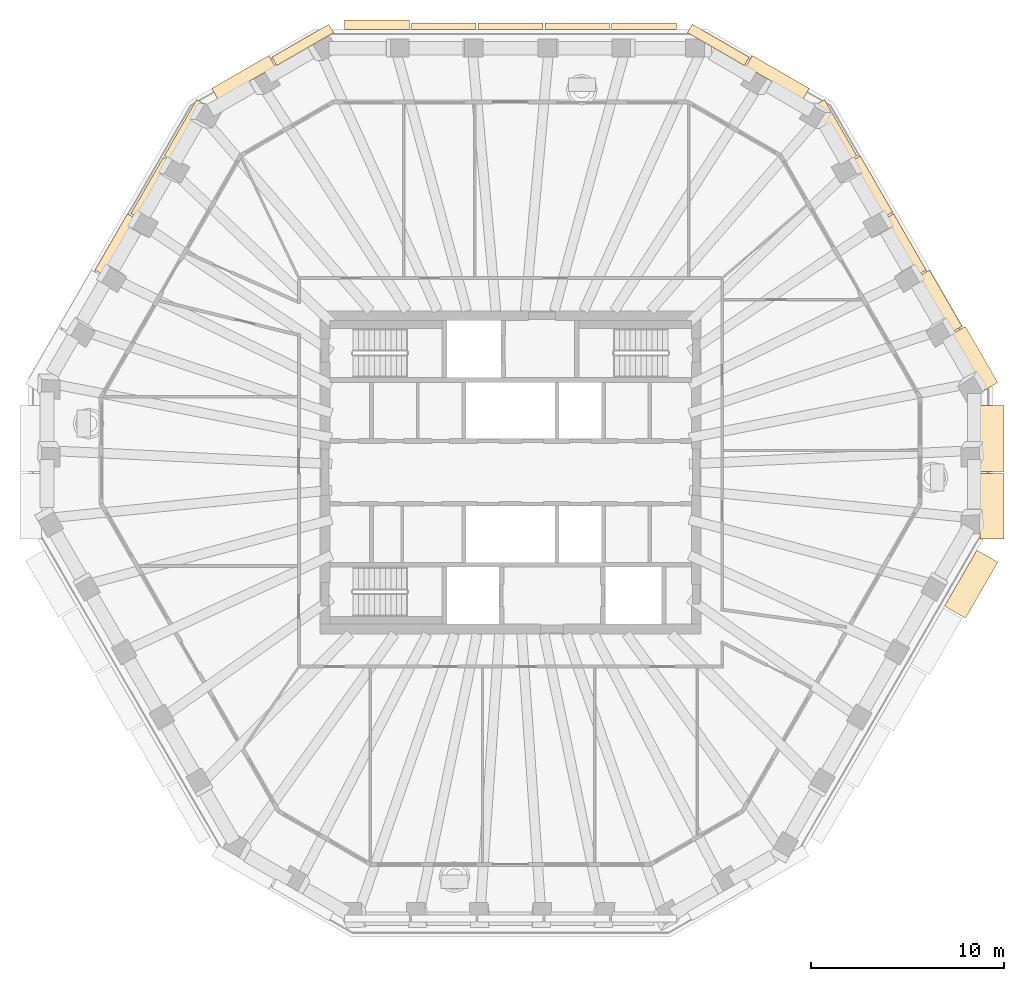
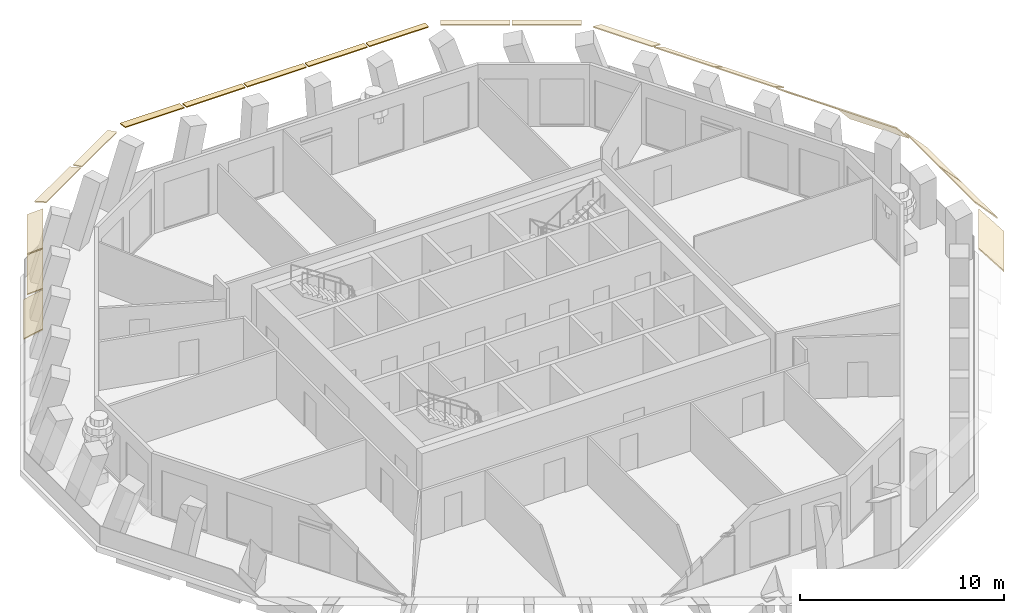
# One storey, part 9 of 11: 20 coverings.
"""IFC4 building model written with IfcOpenShell, lengths in metres."""

import ifcopenshell
import ifcopenshell.guid

model = None  # the IFC model being written
_history = None  # IfcOwnerHistory: only IFC2X3 demands one
_inside = {}  # id of a spatial element -> (the spatial element, [elements in it])
_under = {}  # id of a project, library or spatial element -> (it, [spatial elements below it])
_declared = {}  # id of a project -> (the project, [libraries it declares])
_typed = {}  # id of a type object -> (the type object, [elements of that type])
_made_of = {}  # id of a material, layer set ... -> (it, [elements and type objects made of it])


def new_model(schema):
    """Start an empty IFC model of exactly this schema.

    Asked for "IFC4X3", IfcOpenShell would pick the latest addendum, in which some entities
    have other attributes; the version numbers below select the first issue.
    IFC2X3 requires an IfcOwnerHistory on every rooted entity: one is made here for all.
    """
    global model, _history
    if schema == "IFC4X3":
        model = ifcopenshell.file(schema_version=(4, 3, 0, 0))
    else:
        model = ifcopenshell.file(schema=schema)
    _inside.clear()
    _under.clear()
    _declared.clear()
    _typed.clear()
    _made_of.clear()
    _history = None
    if model.schema == "IFC2X3":
        org = make("IfcOrganization", Name="unknown")
        user = make(
            "IfcPersonAndOrganization",
            ThePerson=make("IfcPerson", FamilyName="unknown"),
            TheOrganization=org,
        )
        app = make(
            "IfcApplication",
            ApplicationDeveloper=org,
            Version="unknown",
            ApplicationFullName="unknown",
            ApplicationIdentifier="unknown",
        )
        _history = make(
            "IfcOwnerHistory",
            OwningUser=user,
            OwningApplication=app,
            ChangeAction="ADDED",
            CreationDate=0,
        )
    return model


def make(cls, **values):
    """One entity of the class cls with the attributes given. An attribute that is None is left unset."""
    return model.create_entity(
        cls, **{name: value for name, value in values.items() if value is not None}
    )


def rooted(cls, **values):
    """An entity with a GlobalId (a new one), such as an element, a storey or a relation."""
    return make(cls, GlobalId=ifcopenshell.guid.new(), OwnerHistory=_history, **values)


def si_unit(unit_type, name, prefix=None):
    """IfcSIUnit, for example si_unit("LENGTHUNIT", "METRE", prefix="MILLI")."""
    return make("IfcSIUnit", UnitType=unit_type, Prefix=prefix, Name=name)


def assignment(units):
    """IfcUnitAssignment: the units of a project."""
    return None if units is None else make("IfcUnitAssignment", Units=units)


def point(xyz):
    """IfcCartesianPoint."""
    return None if xyz is None else make("IfcCartesianPoint", Coordinates=xyz)


def direction(xyz):
    """IfcDirection."""
    return None if xyz is None else make("IfcDirection", DirectionRatios=xyz)


def frame(location, z_axis=None, x_axis=None):
    """IfcAxis2Placement3D, a coordinate frame: its origin and axes. An axis left out is left unset."""
    return make(
        "IfcAxis2Placement3D",
        Location=point(location),
        Axis=direction(z_axis),
        RefDirection=direction(x_axis),
    )


def origin():
    """The frame at (0, 0, 0) with its axes left unset."""
    return frame((0.0, 0.0, 0.0))


def place(relative_to, where):
    """IfcLocalPlacement: puts the frame where relative to a parent placement (None: the world)."""
    return make(
        "IfcLocalPlacement", PlacementRelTo=relative_to, RelativePlacement=where
    )


def context(
    kind, dimensions, precision=None, world=None, true_north=None, identifier=None
):
    """IfcGeometricRepresentationContext, for example the 3D "Model" context."""
    return make(
        "IfcGeometricRepresentationContext",
        ContextIdentifier=identifier,
        ContextType=kind,
        CoordinateSpaceDimension=dimensions,
        Precision=precision,
        WorldCoordinateSystem=world,
        TrueNorth=true_north,
    )


def subcontext(parent, identifier, kind, view, scale=None):
    """IfcGeometricRepresentationSubContext, for example "Body" below "Model"."""
    return make(
        "IfcGeometricRepresentationSubContext",
        ContextIdentifier=identifier,
        ContextType=kind,
        ParentContext=parent,
        TargetScale=scale,
        TargetView=view,
    )


def project(units=None, contexts=None):
    """IfcProject with its units and contexts."""
    return rooted(
        "IfcProject",
        Name="project",
        RepresentationContexts=contexts,
        UnitsInContext=assignment(units),
    )


def spatial(cls, under=None, at=None, **own):
    """A site, building, storey or space (cls), placed at a placement, below another one or the project."""
    s = rooted(cls, ObjectPlacement=at, **own)
    if under is not None:
        _under.setdefault(under.id(), (under, []))[1].append(s)
    return s


def polyline(points):
    """IfcPolyline through the points."""
    return make("IfcPolyline", Points=[point(p) for p in points])


def outline(outer, holes=None, kind="AREA"):
    """IfcArbitraryClosedProfileDef: a profile drawn as a closed curve; with holes, ...WithVoids."""
    if holes is None:
        return make("IfcArbitraryClosedProfileDef", ProfileType=kind, OuterCurve=outer)
    return make(
        "IfcArbitraryProfileDefWithVoids",
        ProfileType=kind,
        OuterCurve=outer,
        InnerCurves=holes,
    )


def extrude(swept, where, along, depth):
    """IfcExtrudedAreaSolid: the profile swept, set in the frame where, extruded along a direction by depth."""
    return make(
        "IfcExtrudedAreaSolid",
        SweptArea=swept,
        Position=where,
        ExtrudedDirection=direction(along),
        Depth=depth,
    )


def shape(context_of_items, identifier, shape_type, items):
    """IfcShapeRepresentation: the items that make up one representation, for example the "Body"."""
    return make(
        "IfcShapeRepresentation",
        ContextOfItems=context_of_items,
        RepresentationIdentifier=identifier,
        RepresentationType=shape_type,
        Items=items,
    )


def material(Name=None, Category=None):
    """IfcMaterial."""
    return make("IfcMaterial", Name=Name, Category=Category)


def layer(
    of_material, thickness, ventilated=None, Name=None, Category=None, Priority=None
):
    """IfcMaterialLayer: one layer of a wall or slab, of a material (None: an air gap)."""
    return make(
        "IfcMaterialLayer",
        Material=of_material,
        LayerThickness=thickness,
        IsVentilated=ventilated,
        Name=Name,
        Category=Category,
        Priority=Priority,
    )


def layer_set(layers, Name=None):
    """IfcMaterialLayerSet."""
    return make("IfcMaterialLayerSet", MaterialLayers=layers, LayerSetName=Name)


def made_of(thing, what):
    """Note that an element or type object is made of a material, layer set ...; save() writes the relation."""
    if what is not None:
        _made_of.setdefault(what.id(), (what, []))[1].append(thing)
    return thing


def type_object(cls, material=None, **own):
    """A type object (cls), such as IfcWallType, which elements share."""
    return made_of(rooted(cls, **own), material)


def element(
    cls,
    number,
    at=None,
    inside=None,
    cuts=None,
    type_object=None,
    material=None,
    context=None,
    identifier="Body",
    shape_type=None,
    held_by="IfcProductDefinitionShape",
    body=None,
    shapes=None,
    **own,
):
    """One element of the class cls, such as IfcWall. Its Tag is "e" and its number.

    at: its placement. inside: the storey or other place that contains it. cuts: it is an
    opening in that element (IfcRelVoidsElement). A single representation is given by context,
    identifier, shape_type and body (its items); several are given by shapes. held_by: the class
    of the entity that holds the representations. save() writes the other relations.
    """
    e = rooted(cls, Tag="e%d" % number, ObjectPlacement=at, **own)
    if body is not None:
        shapes = [shape(context, identifier, shape_type, body)]
    if shapes is not None:
        e.Representation = make(held_by, Representations=shapes)
    if inside is not None:
        _inside.setdefault(inside.id(), (inside, []))[1].append(e)
    if cuts is not None:
        rooted(
            "IfcRelVoidsElement", RelatingBuildingElement=cuts, RelatedOpeningElement=e
        )
    if type_object is not None:
        _typed.setdefault(type_object.id(), (type_object, []))[1].append(e)
    return made_of(e, material)


def aggregate(whole, parts):
    """IfcRelAggregates: a whole, such as a stair, and the parts it consists of."""
    return rooted("IfcRelAggregates", RelatingObject=whole, RelatedObjects=parts)


def save(model, path):
    """Write the relations noted so far, then the file.

    IfcRelAggregates (storeys below a building ...), IfcRelContainedInSpatialStructure (elements
    in a storey), IfcRelDefinesByType, IfcRelAssociatesMaterial and IfcRelDeclares: one each for
    every whole, place, type object, material and project.
    """
    for whole, parts in _under.values():
        aggregate(whole, parts)
    for where, things in _inside.values():
        rooted(
            "IfcRelContainedInSpatialStructure",
            RelatedElements=things,
            RelatingStructure=where,
        )
    for kind, things in _typed.values():
        rooted("IfcRelDefinesByType", RelatedObjects=things, RelatingType=kind)
    for what, things in _made_of.values():
        rooted("IfcRelAssociatesMaterial", RelatedObjects=things, RelatingMaterial=what)
    for by, libraries in _declared.values():
        rooted("IfcRelDeclares", RelatingContext=by, RelatedDefinitions=libraries)
    model.write(path)


model = new_model("IFC4")

# Units and contexts
model_context = context("Model", 3, precision=1e-05, world=origin(), true_north=direction((0.0, 1.0)))
body_context = subcontext(model_context, "Body", "Model", "MODEL_VIEW")
ifc_project = project(units=[si_unit("LENGTHUNIT", "METRE"), si_unit("AREAUNIT", "SQUARE_METRE"), si_unit("VOLUMEUNIT", "CUBIC_METRE"), si_unit("PLANEANGLEUNIT", "RADIAN"), si_unit("MASSUNIT", "GRAM", prefix="KILO")], contexts=[model_context])

# Site, building, storey
site_placement = place(None, origin())
site = spatial("IfcSite", under=ifc_project, at=site_placement, CompositionType="ELEMENT")
building_placement = place(site_placement, origin())
building = spatial("IfcBuilding", under=site, at=building_placement, Name="Frailejon Research Tower", CompositionType="ELEMENT")
storey_placement = place(building_placement, frame((0.0, 0.0, 299.0)))
storey = spatial("IfcBuildingStorey", under=building, at=storey_placement, Name="L66", CompositionType="ELEMENT", Elevation=299.0)

# Coverings
ifc_material_1 = material(Name="Precast concrete C50/60", Category="concrete")
ifc_layer_1 = layer(ifc_material_1, 0.06005859375)
ifc_layer_set_1 = layer_set([ifc_layer_1], Name="Brim blade depth 1100")
covering_type_1 = type_object("IfcCoveringType", Name="Brim blade depth 1100", PredefinedType="CLADDING", material=ifc_layer_set_1)
covering_1_placement = place(storey_placement, frame((20.719970703125, 9.912109375, 3.85009765625), z_axis=(0.499996648023, -0.86602733904, 0.0), x_axis=(0.86602733904, 0.499996648023, 0.0)))
element("IfcCovering", 1, at=covering_1_placement, inside=storey, type_object=covering_type_1, Name="Brim blade L66", PredefinedType="CLADDING", context=body_context, shape_type="SweptSolid", body=[
    extrude(outline(polyline([(0.0, -0.078369140625), (1.10009765625, -1.001220703125), (1.10009765625, -0.923095703125), (0.0, 0.0), (0.0, -0.078369140625)])), origin(), (0.0, 0.0, 1.0), 3.3515625),
])
ifc_material_2 = material(Name="Precast concrete C50/60", Category="concrete")
ifc_layer_2 = layer(ifc_material_2, 0.06005859375)
ifc_layer_set_2 = layer_set([ifc_layer_2], Name="Brim blade depth 1250")
covering_type_2 = type_object("IfcCoveringType", Name="Brim blade depth 1250", PredefinedType="CLADDING", material=ifc_layer_set_2)
for number, where, z_axis, x_axis, name in (
    (2, (24.273681640625, -0.050048828125, 3.85009765625), (0.0, -1.0, 0.0), (1.0, 0.0, 0.0), "Brim blade L66"),
    (3, (24.273681640625, 3.451904296875, 3.85009765625), (0.0, -1.0, 0.0), (1.0, 0.0, 0.0), "Brim blade L66"),
):
    element("IfcCovering", number, at=place(storey_placement, frame(where, z_axis=z_axis, x_axis=x_axis)), inside=storey, type_object=covering_type_2, Name=name, PredefinedType="CLADDING", context=body_context, shape_type="SweptSolid", body=[
        extrude(outline(polyline([(0.0, -0.0888671875), (1.25, -1.452880859375), (1.25, -1.364013671875), (0.0, 0.0), (0.0, -0.0888671875)])), origin(), (0.0, 0.0, 1.0), 3.402099609375),
    ])
for number, where, z_axis, x_axis, name in (
    (4, (22.44580078125, 6.9228515625, 3.85009765625), (0.499996648023, -0.86602733904, 0.0), (0.86602733904, 0.499996648023, 0.0), "Brim blade L66"),
    (5, (24.12158203125, -4.020263671875, 3.85009765625), (-0.499996648023, -0.86602733904, 0.0), (0.86602733904, -0.499996648023, 0.0), "Brim blade L66"),
):
    element("IfcCovering", number, at=place(storey_placement, frame(where, z_axis=z_axis, x_axis=x_axis)), inside=storey, type_object=covering_type_2, Name=name, PredefinedType="CLADDING", context=body_context, shape_type="SweptSolid", body=[
        extrude(outline(polyline([(0.0, -0.0888671875), (1.25, -1.452880859375), (1.25, -1.364013671875), (0.0, 0.0), (0.0, -0.0888671875)])), origin(), (0.0, 0.0, 1.0), 3.3515625),
    ])
ifc_material_3 = material(Name="Precast concrete C50/60", Category="concrete")
ifc_layer_3 = layer(ifc_material_3, 0.06005859375)
ifc_layer_set_3 = layer_set([ifc_layer_3], Name="Brim blade depth 350")
covering_type_3 = type_object("IfcCoveringType", Name="Brim blade depth 350", PredefinedType="CLADDING", material=ifc_layer_set_3)
covering_2_placement = place(storey_placement, frame((5.2275390625, 22.89990234375, 3.85009765625), z_axis=(1.0, 0.0, 0.0), x_axis=(0.0, 1.0, 0.0)))
element("IfcCovering", 6, at=covering_2_placement, inside=storey, type_object=covering_type_3, Name="Brim blade L66", PredefinedType="CLADDING", context=body_context, shape_type="SweptSolid", body=[
    extrude(outline(polyline([(0.0, -0.06005859375), (0.35009765625, -0.06005859375), (0.35009765625, 0.0), (0.0, 0.0), (0.0, -0.06005859375)])), origin(), (0.0, 0.0, 1.0), 3.3515625),
])
covering_3_placement = place(storey_placement, frame((1.77587890625, 22.89990234375, 3.85009765625), z_axis=(1.0, 0.0, 0.0), x_axis=(0.0, 1.0, 0.0)))
element("IfcCovering", 7, at=covering_3_placement, inside=storey, type_object=covering_type_3, Name="Brim blade L66", PredefinedType="CLADDING", context=body_context, shape_type="SweptSolid", body=[
    extrude(outline(polyline([(0.0, -0.06005859375), (0.35009765625, -0.06005859375), (0.35009765625, 0.0), (0.0, 0.0), (0.0, -0.06005859375)])), origin(), (0.0, 0.0, 1.0), 3.351806640625),
])
covering_4_placement = place(storey_placement, frame((-1.67578125, 22.89990234375, 3.85009765625), z_axis=(1.0, 0.0, 0.0), x_axis=(0.0, 1.0, 0.0)))
element("IfcCovering", 8, at=covering_4_placement, inside=storey, type_object=covering_type_3, Name="Brim blade L66", PredefinedType="CLADDING", context=body_context, shape_type="SweptSolid", body=[
    extrude(outline(polyline([(0.0, -0.06005859375), (0.35009765625, -0.06005859375), (0.35009765625, 0.0), (0.0, 0.0), (0.0, -0.06005859375)])), origin(), (0.0, 0.0, 1.0), 3.3515625),
])
covering_5_placement = place(storey_placement, frame((-5.12744140625, 22.89990234375, 3.85009765625), z_axis=(1.0, 0.0, 0.0), x_axis=(0.0, 1.0, 0.0)))
element("IfcCovering", 9, at=covering_5_placement, inside=storey, type_object=covering_type_3, Name="Brim blade L66", PredefinedType="CLADDING", context=body_context, shape_type="SweptSolid", body=[
    extrude(outline(polyline([(0.0, -0.06005859375), (0.35009765625, -0.06005859375), (0.35009765625, 0.0), (0.0, 0.0), (0.0, -0.06005859375)])), origin(), (0.0, 0.0, 1.0), 3.351806640625),
])
ifc_material_4 = material(Name="Precast concrete C50/60", Category="concrete")
ifc_layer_4 = layer(ifc_material_4, 0.06005859375)
ifc_layer_set_4 = layer_set([ifc_layer_4], Name="Brim blade depth 500")
covering_type_4 = type_object("IfcCoveringType", Name="Brim blade depth 500", PredefinedType="CLADDING", material=ifc_layer_set_4)
covering_6_placement = place(storey_placement, frame((9.1474609375, 22.747802734375, 3.85009765625), z_axis=(0.866023907216, -0.500002592124, 0.0), x_axis=(0.500002592124, 0.866023907216, 0.0)))
element("IfcCovering", 10, at=covering_6_placement, inside=storey, type_object=covering_type_4, Name="Brim blade L66", PredefinedType="CLADDING", context=body_context, shape_type="SweptSolid", body=[
    extrude(outline(polyline([(0.0, -0.060546875), (0.5, -0.130859375), (0.5, -0.0703125), (0.0, 0.0), (0.0, -0.060546875)])), origin(), (0.0, 0.0, 1.0), 3.402099609375),
])
covering_7_placement = place(storey_placement, frame((-8.5791015625, 22.89990234375, 3.85009765625), z_axis=(1.0, 0.0, 0.0), x_axis=(0.0, 1.0, 0.0)))
element("IfcCovering", 11, at=covering_7_placement, inside=storey, type_object=covering_type_4, Name="Brim blade L66", PredefinedType="CLADDING", context=body_context, shape_type="SweptSolid", body=[
    extrude(outline(polyline([(0.0, -0.060546875), (0.5, -0.130859375), (0.5, -0.0703125), (0.0, 0.0), (0.0, -0.060546875)])), origin(), (0.0, 0.0, 1.0), 3.3515625),
])
covering_8_placement = place(storey_placement, frame((-12.093505859375, 21.046630859375, 3.85009765625), z_axis=(0.866023907216, 0.500002592124, 0.0), x_axis=(-0.500002592124, 0.866023907216, 0.0)))
element("IfcCovering", 12, at=covering_8_placement, inside=storey, type_object=covering_type_4, Name="Brim blade L66", PredefinedType="CLADDING", context=body_context, shape_type="SweptSolid", body=[
    extrude(outline(polyline([(0.0, -0.060546875), (0.5, -0.130859375), (0.5, -0.0703125), (0.0, 0.0), (0.0, -0.060546875)])), origin(), (0.0, 0.0, 1.0), 3.402099609375),
])
ifc_material_5 = material(Name="Precast concrete C50/60", Category="concrete")
ifc_layer_5 = layer(ifc_material_5, 0.06005859375)
ifc_layer_set_5 = layer_set([ifc_layer_5], Name="Brim blade depth 650")
covering_type_5 = type_object("IfcCoveringType", Name="Brim blade depth 650", PredefinedType="CLADDING", material=ifc_layer_set_5)
for number, where, z_axis, x_axis, name in (
    (13, (12.18017578125, 20.99658203125, 3.85009765625), (0.866023907216, -0.500002592124, 0.0), (0.500002592124, 0.866023907216, 0.0), "Brim blade L66"),
    (14, (-15.12646484375, 19.295654296875, 3.85009765625), (0.866023907216, 0.500002592124, 0.0), (-0.500002592124, 0.866023907216, 0.0), "Brim blade L66"),
):
    element("IfcCovering", number, at=place(storey_placement, frame(where, z_axis=z_axis, x_axis=x_axis)), inside=storey, type_object=covering_type_5, Name=name, PredefinedType="CLADDING", context=body_context, shape_type="SweptSolid", body=[
        extrude(outline(polyline([(0.0, -0.0625), (0.64990234375, -0.248779296875), (0.64990234375, -0.186279296875), (0.0, 0.0), (0.0, -0.0625)])), origin(), (0.0, 0.0, 1.0), 3.402099609375),
    ])
ifc_material_6 = material(Name="Precast concrete C50/60", Category="concrete")
ifc_layer_6 = layer(ifc_material_6, 0.06005859375)
ifc_layer_set_6 = layer_set([ifc_layer_6], Name="Brim blade depth 800")
covering_type_6 = type_object("IfcCoveringType", Name="Brim blade depth 800", PredefinedType="CLADDING", material=ifc_layer_set_6)
for number, where, z_axis, x_axis, name in (
    (15, (15.54248046875, 18.879638671875, 3.85009765625), (0.499996648023, -0.86602733904, 0.0), (0.86602733904, 0.499996648023, 0.0), "Brim blade L66"),
    (16, (-17.21826171875, 15.97705078125, 3.85009765625), (0.499996648023, 0.86602733904, 0.0), (-0.86602733904, 0.499996648023, 0.0), "Brim blade L66"),
    (17, (-18.944091796875, 12.98779296875, 3.85009765625), (0.499996648023, 0.86602733904, 0.0), (-0.86602733904, 0.499996648023, 0.0), "Brim blade L66"),
):
    element("IfcCovering", number, at=place(storey_placement, frame(where, z_axis=z_axis, x_axis=x_axis)), inside=storey, type_object=covering_type_6, Name=name, PredefinedType="CLADDING", context=body_context, shape_type="SweptSolid", body=[
        extrude(outline(polyline([(0.0, -0.065673828125), (0.800048828125, -0.421875), (0.800048828125, -0.356201171875), (0.0, 0.0), (0.0, -0.065673828125)])), origin(), (0.0, 0.0, 1.0), 3.3515625),
    ])
ifc_material_7 = material(Name="Precast concrete C50/60", Category="concrete")
ifc_layer_7 = layer(ifc_material_7, 0.06005859375)
ifc_layer_set_7 = layer_set([ifc_layer_7], Name="Brim blade depth 950")
covering_type_7 = type_object("IfcCoveringType", Name="Brim blade depth 950", PredefinedType="CLADDING", material=ifc_layer_set_7)
covering_9_placement = place(storey_placement, frame((18.993896484375, 12.9013671875, 3.85009765625), z_axis=(0.500018376809, -0.866014793669, 0.0), x_axis=(0.866014793669, 0.500018376809, 0.0)))
element("IfcCovering", 18, at=covering_9_placement, inside=storey, type_object=covering_type_7, Name="Brim blade L66", PredefinedType="CLADDING", context=body_context, shape_type="SweptSolid", body=[
    extrude(outline(polyline([(0.0, -0.07080078125), (0.949951171875, -0.664306640625), (0.949951171875, -0.593505859375), (0.0, 0.0), (0.0, -0.07080078125)])), origin(), (0.0, 0.0, 1.0), 3.351806640625),
])
covering_10_placement = place(storey_placement, frame((17.268310546875, 15.890380859375, 3.85009765625), z_axis=(0.499996648023, -0.86602733904, 0.0), x_axis=(0.86602733904, 0.499996648023, 0.0)))
element("IfcCovering", 19, at=covering_10_placement, inside=storey, type_object=covering_type_7, Name="Brim blade L66", PredefinedType="CLADDING", context=body_context, shape_type="SweptSolid", body=[
    extrude(outline(polyline([(0.0, -0.07080078125), (0.949951171875, -0.664306640625), (0.949951171875, -0.593505859375), (0.0, 0.0), (0.0, -0.07080078125)])), origin(), (0.0, 0.0, 1.0), 3.3515625),
])
covering_11_placement = place(storey_placement, frame((-20.669921875, 9.998779296875, 3.85009765625), z_axis=(0.500018376809, 0.866014793669, 0.0), x_axis=(-0.866014793669, 0.500018376809, 0.0)))
element("IfcCovering", 20, at=covering_11_placement, inside=storey, type_object=covering_type_7, Name="Brim blade L66", PredefinedType="CLADDING", context=body_context, shape_type="SweptSolid", body=[
    extrude(outline(polyline([(0.0, -0.07080078125), (0.949951171875, -0.664306640625), (0.949951171875, -0.593505859375), (0.0, 0.0), (0.0, -0.07080078125)])), origin(), (0.0, 0.0, 1.0), 3.351806640625),
])

save(model, "model.ifc")
